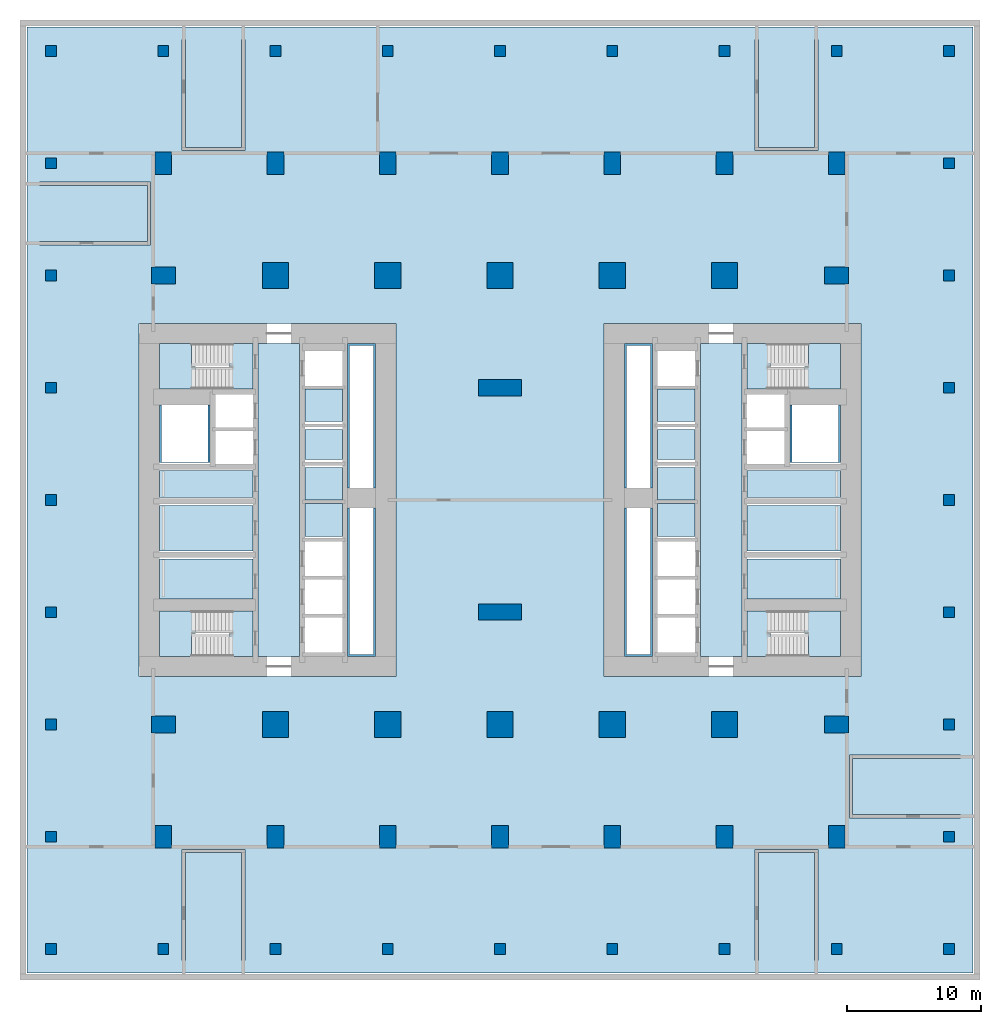
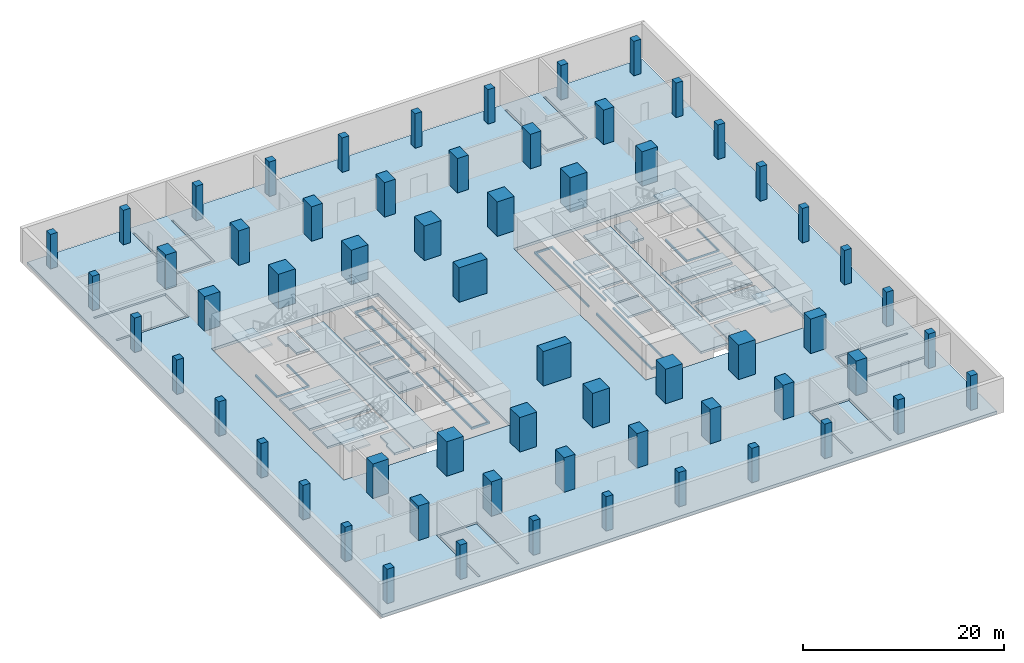
# One storey, part 1 of 8: 62 columns, 31 slabs, 4 elements without a shape of their own.
"""IFC4 building model written with IfcOpenShell, lengths in metres."""

from ifc_helpers import new_model, si_unit, direction, frame, origin, origin_2d, place, context, subcontext, project, spatial, polyline, rectangle, outline, extrude, material, layer, layer_set, material_profile, profile_set, type_object, element, aggregate, save


model = new_model("IFC4")

# Units and contexts
model_context = context("Model", 3, precision=1e-05, world=origin(), true_north=direction((0.0, 1.0)))
body_context = subcontext(model_context, "Body", "Model", "MODEL_VIEW")
ifc_project = project(units=[si_unit("LENGTHUNIT", "METRE"), si_unit("AREAUNIT", "SQUARE_METRE"), si_unit("VOLUMEUNIT", "CUBIC_METRE"), si_unit("PLANEANGLEUNIT", "RADIAN"), si_unit("MASSUNIT", "GRAM", prefix="KILO")], contexts=[model_context])

# Site, building, storey
site_placement = place(None, origin())
site = spatial("IfcSite", under=ifc_project, at=site_placement, CompositionType="ELEMENT")
building_placement = place(site_placement, origin())
building = spatial("IfcBuilding", under=site, at=building_placement, Name="Claustro Exchange Tower", CompositionType="ELEMENT")
storey_placement = place(building_placement, frame((0.0, 0.0, -4.199951171875)))
storey = spatial("IfcBuildingStorey", under=building, at=storey_placement, Name="B1", CompositionType="ELEMENT", Elevation=-4.199951171875)

# Columns
ifc_material_1 = material(Name="Concrete HA-70 (C70/85)", Category="concrete")
ifc_material_profile_1 = material_profile(ifc_material_1, rectangle(XDim=1.949951171875, YDim=1.949951171875, at=origin_2d()), Name="RC 1950x1950")
ifc_profile_set_1 = profile_set([ifc_material_profile_1], Name="Concrete HA-70 (C70/85)")
column_type_1 = type_object("IfcColumnType", Name="C12 RC 1950x1950 HA-70 column", PredefinedType="COLUMN", material=ifc_profile_set_1)
for number, where, z_axis, x_axis, name in (
    (1, (8.39990234375, 8.39990234375, 0.0), (0.0, 0.0, 1.0), (1.0, 0.0, 0.0), "Column C12 2/B B1"),
    (2, (8.39990234375, 42.0, 0.0), (0.0, 0.0, 1.0), (1.0, 0.0, 0.0), "Column C12 2/F B1"),
    (3, (16.800048828125, 8.39990234375, 0.0), (0.0, 0.0, 1.0), (1.0, 0.0, 0.0), "Column C12 3/B B1"),
    (4, (16.800048828125, 42.0, 0.0), (0.0, 0.0, 1.0), (1.0, 0.0, 0.0), "Column C12 3/F B1"),
    (5, (25.199951171875, 8.39990234375, 0.0), (0.0, 0.0, 1.0), (1.0, 0.0, 0.0), "Column C12 4/B B1"),
    (6, (25.199951171875, 42.0, 0.0), (0.0, 0.0, 1.0), (1.0, 0.0, 0.0), "Column C12 4/F B1"),
    (7, (33.60009765625, 8.39990234375, 0.0), (0.0, 0.0, 1.0), (1.0, 0.0, 0.0), "Column C12 5/B B1"),
    (8, (33.60009765625, 42.0, 0.0), (0.0, 0.0, 1.0), (1.0, 0.0, 0.0), "Column C12 5/F B1"),
    (9, (42.0, 8.39990234375, 0.0), (0.0, 0.0, 1.0), (1.0, 0.0, 0.0), "Column C12 6/B B1"),
    (10, (42.0, 42.0, 0.0), (0.0, 0.0, 1.0), (1.0, 0.0, 0.0), "Column C12 6/F B1"),
):
    element("IfcColumn", number, at=place(storey_placement, frame(where, z_axis=z_axis, x_axis=x_axis)), inside=storey, type_object=column_type_1, Name=name, PredefinedType="COLUMN", context=body_context, shape_type="SweptSolid", body=[
        extrude(rectangle(XDim=1.949951171875, YDim=1.949951171875, at=origin_2d()), origin(), (0.0, 0.0, 1.0), 4.199951171875),
    ])
ifc_material_2 = material(Name="Concrete HA-70 (C70/85)", Category="concrete")
ifc_material_profile_2 = material_profile(ifc_material_2, rectangle(XDim=1.25, YDim=1.699951171875, at=origin_2d()), Name="RC 1250x1700")
ifc_profile_set_2 = profile_set([ifc_material_profile_2], Name="Concrete HA-70 (C70/85)")
column_type_2 = type_object("IfcColumnType", Name="C18 RC 1250x1700 HA-70 perimeter column", PredefinedType="COLUMN", material=ifc_profile_set_2)
for number, where, z_axis, x_axis, name in (
    (11, (0.0, 0.0, 0.0), (0.0, 0.0, 1.0), (1.0, 0.0, 0.0), "Column C18 1/A B1"),
    (12, (0.0, 50.39990234375, 0.0), (0.0, 0.0, 1.0), (1.0, 0.0, 0.0), "Column C18 1/G B1"),
    (13, (8.39990234375, 0.0, 0.0), (0.0, 0.0, 1.0), (1.0, 0.0, 0.0), "Column C18 2/A B1"),
    (14, (8.39990234375, 50.39990234375, 0.0), (0.0, 0.0, 1.0), (1.0, 0.0, 0.0), "Column C18 2/G B1"),
    (15, (16.800048828125, 0.0, 0.0), (0.0, 0.0, 1.0), (1.0, 0.0, 0.0), "Column C18 3/A B1"),
    (16, (16.800048828125, 50.39990234375, 0.0), (0.0, 0.0, 1.0), (1.0, 0.0, 0.0), "Column C18 3/G B1"),
    (17, (25.199951171875, 0.0, 0.0), (0.0, 0.0, 1.0), (1.0, 0.0, 0.0), "Column C18 4/A B1"),
    (18, (25.199951171875, 50.39990234375, 0.0), (0.0, 0.0, 1.0), (1.0, 0.0, 0.0), "Column C18 4/G B1"),
    (19, (33.60009765625, 0.0, 0.0), (0.0, 0.0, 1.0), (1.0, 0.0, 0.0), "Column C18 5/A B1"),
    (20, (33.60009765625, 50.39990234375, 0.0), (0.0, 0.0, 1.0), (1.0, 0.0, 0.0), "Column C18 5/G B1"),
    (21, (42.0, 0.0, 0.0), (0.0, 0.0, 1.0), (1.0, 0.0, 0.0), "Column C18 6/A B1"),
    (22, (42.0, 50.39990234375, 0.0), (0.0, 0.0, 1.0), (1.0, 0.0, 0.0), "Column C18 6/G B1"),
    (23, (50.39990234375, 0.0, 0.0), (0.0, 0.0, 1.0), (1.0, 0.0, 0.0), "Column C18 7/A B1"),
    (24, (50.39990234375, 50.39990234375, 0.0), (0.0, 0.0, 1.0), (1.0, 0.0, 0.0), "Column C18 7/G B1"),
):
    element("IfcColumn", number, at=place(storey_placement, frame(where, z_axis=z_axis, x_axis=x_axis)), inside=storey, type_object=column_type_2, Name=name, PredefinedType="COLUMN", context=body_context, shape_type="SweptSolid", body=[
        extrude(rectangle(XDim=1.25, YDim=1.699951171875, at=origin_2d()), origin(), (0.0, 0.0, 1.0), 4.199951171875),
    ])
ifc_material_3 = material(Name="Concrete HA-70 (C70/85)", Category="concrete")
ifc_material_profile_3 = material_profile(ifc_material_3, rectangle(XDim=3.199951171875, YDim=1.199951171875, at=origin_2d()), Name="RC 3200x1200")
ifc_profile_set_3 = profile_set([ifc_material_profile_3], Name="Concrete HA-70 (C70/85)")
column_type_3 = type_object("IfcColumnType", Name="C28 RC 3200x1200 HA-70 light well column", PredefinedType="COLUMN", material=ifc_profile_set_3)
for number, where, z_axis, x_axis, name in (
    (25, (25.199951171875, 16.800048828125, 0.0), (0.0, 0.0, 1.0), (1.0, 0.0, 0.0), "Column C28 4/C B1"),
    (26, (25.199951171875, 33.60009765625, 0.0), (0.0, 0.0, 1.0), (1.0, 0.0, 0.0), "Column C28 4/E B1"),
):
    element("IfcColumn", number, at=place(storey_placement, frame(where, z_axis=z_axis, x_axis=x_axis)), inside=storey, type_object=column_type_3, Name=name, PredefinedType="COLUMN", context=body_context, shape_type="SweptSolid", body=[
        extrude(rectangle(XDim=3.199951171875, YDim=1.199951171875, at=origin_2d()), origin(), (0.0, 0.0, 1.0), 4.199951171875),
    ])
ifc_material_4 = material(Name="Concrete HA-50 (C50/60)", Category="concrete")
ifc_material_profile_4 = material_profile(ifc_material_4, rectangle(XDim=0.800048828125, YDim=0.800048828125, at=origin_2d()), Name="RC 800x800")
ifc_profile_set_4 = profile_set([ifc_material_profile_4], Name="Concrete HA-50 (C50/60)")
column_type_4 = type_object("IfcColumnType", Name="C4 RC 800x800 HA-50 column", PredefinedType="COLUMN", material=ifc_profile_set_4)
for number, where, z_axis, x_axis, name in (
    (27, (-8.39990234375, -8.39990234375, 0.0), (0.0, 0.0, 1.0), (1.0, 0.0, 0.0), "Column C4 1+-8400/A+-8400 B1"),
    (28, (-8.39990234375, 0.0, 0.0), (0.0, 0.0, 1.0), (1.0, 0.0, 0.0), "Column C4 1+-8400/A B1"),
    (29, (-8.39990234375, 8.39990234375, 0.0), (0.0, 0.0, 1.0), (1.0, 0.0, 0.0), "Column C4 1+-8400/B B1"),
    (30, (-8.39990234375, 16.800048828125, 0.0), (0.0, 0.0, 1.0), (1.0, 0.0, 0.0), "Column C4 1+-8400/C B1"),
    (31, (-8.39990234375, 25.199951171875, 0.0), (0.0, 0.0, 1.0), (1.0, 0.0, 0.0), "Column C4 1+-8400/D B1"),
    (32, (-8.39990234375, 33.60009765625, 0.0), (0.0, 0.0, 1.0), (1.0, 0.0, 0.0), "Column C4 1+-8400/E B1"),
    (33, (-8.39990234375, 42.0, 0.0), (0.0, 0.0, 1.0), (1.0, 0.0, 0.0), "Column C4 1+-8400/F B1"),
    (34, (-8.39990234375, 50.39990234375, 0.0), (0.0, 0.0, 1.0), (1.0, 0.0, 0.0), "Column C4 1+-8400/G B1"),
    (35, (-8.39990234375, 58.800048828125, 0.0), (0.0, 0.0, 1.0), (1.0, 0.0, 0.0), "Column C4 1+-8400/G+8400 B1"),
    (36, (0.0, -8.39990234375, 0.0), (0.0, 0.0, 1.0), (1.0, 0.0, 0.0), "Column C4 1/A+-8400 B1"),
    (37, (0.0, 58.800048828125, 0.0), (0.0, 0.0, 1.0), (1.0, 0.0, 0.0), "Column C4 1/G+8400 B1"),
    (38, (8.39990234375, -8.39990234375, 0.0), (0.0, 0.0, 1.0), (1.0, 0.0, 0.0), "Column C4 2/A+-8400 B1"),
    (39, (8.39990234375, 58.800048828125, 0.0), (0.0, 0.0, 1.0), (1.0, 0.0, 0.0), "Column C4 2/G+8400 B1"),
    (40, (16.800048828125, -8.39990234375, 0.0), (0.0, 0.0, 1.0), (1.0, 0.0, 0.0), "Column C4 3/A+-8400 B1"),
    (41, (16.800048828125, 58.800048828125, 0.0), (0.0, 0.0, 1.0), (1.0, 0.0, 0.0), "Column C4 3/G+8400 B1"),
    (42, (25.199951171875, -8.39990234375, 0.0), (0.0, 0.0, 1.0), (1.0, 0.0, 0.0), "Column C4 4/A+-8400 B1"),
    (43, (25.199951171875, 58.800048828125, 0.0), (0.0, 0.0, 1.0), (1.0, 0.0, 0.0), "Column C4 4/G+8400 B1"),
    (44, (33.60009765625, -8.39990234375, 0.0), (0.0, 0.0, 1.0), (1.0, 0.0, 0.0), "Column C4 5/A+-8400 B1"),
    (45, (33.60009765625, 58.800048828125, 0.0), (0.0, 0.0, 1.0), (1.0, 0.0, 0.0), "Column C4 5/G+8400 B1"),
    (46, (42.0, -8.39990234375, 0.0), (0.0, 0.0, 1.0), (1.0, 0.0, 0.0), "Column C4 6/A+-8400 B1"),
    (47, (42.0, 58.800048828125, 0.0), (0.0, 0.0, 1.0), (1.0, 0.0, 0.0), "Column C4 6/G+8400 B1"),
    (48, (50.39990234375, -8.39990234375, 0.0), (0.0, 0.0, 1.0), (1.0, 0.0, 0.0), "Column C4 7/A+-8400 B1"),
    (49, (50.39990234375, 58.800048828125, 0.0), (0.0, 0.0, 1.0), (1.0, 0.0, 0.0), "Column C4 7/G+8400 B1"),
    (50, (58.800048828125, -8.39990234375, 0.0), (0.0, 0.0, 1.0), (1.0, 0.0, 0.0), "Column C4 7+8400/A+-8400 B1"),
    (51, (58.800048828125, 0.0, 0.0), (0.0, 0.0, 1.0), (1.0, 0.0, 0.0), "Column C4 7+8400/A B1"),
    (52, (58.800048828125, 8.39990234375, 0.0), (0.0, 0.0, 1.0), (1.0, 0.0, 0.0), "Column C4 7+8400/B B1"),
    (53, (58.800048828125, 16.800048828125, 0.0), (0.0, 0.0, 1.0), (1.0, 0.0, 0.0), "Column C4 7+8400/C B1"),
    (54, (58.800048828125, 25.199951171875, 0.0), (0.0, 0.0, 1.0), (1.0, 0.0, 0.0), "Column C4 7+8400/D B1"),
    (55, (58.800048828125, 33.60009765625, 0.0), (0.0, 0.0, 1.0), (1.0, 0.0, 0.0), "Column C4 7+8400/E B1"),
    (56, (58.800048828125, 42.0, 0.0), (0.0, 0.0, 1.0), (1.0, 0.0, 0.0), "Column C4 7+8400/F B1"),
    (57, (58.800048828125, 50.39990234375, 0.0), (0.0, 0.0, 1.0), (1.0, 0.0, 0.0), "Column C4 7+8400/G B1"),
    (58, (58.800048828125, 58.800048828125, 0.0), (0.0, 0.0, 1.0), (1.0, 0.0, 0.0), "Column C4 7+8400/G+8400 B1"),
):
    element("IfcColumn", number, at=place(storey_placement, frame(where, z_axis=z_axis, x_axis=x_axis)), inside=storey, type_object=column_type_4, Name=name, PredefinedType="COLUMN", context=body_context, shape_type="SweptSolid", body=[
        extrude(rectangle(XDim=0.800048828125, YDim=0.800048828125, at=origin_2d()), origin(), (0.0, 0.0, 1.0), 4.199951171875),
    ])
ifc_material_5 = material(Name="Concrete HA-70 (C70/85)", Category="concrete")
ifc_material_profile_5 = material_profile(ifc_material_5, rectangle(XDim=1.300048828125, YDim=1.800048828125, at=origin_2d()), Name="RC 1300x1800")
ifc_profile_set_5 = profile_set([ifc_material_profile_5], Name="Concrete HA-70 (C70/85)")
column_type_5 = type_object("IfcColumnType", Name="C40 RC 1300x1800 HA-70 perimeter column", PredefinedType="COLUMN", material=ifc_profile_set_5)
for number, where, z_axis, x_axis, name in (
    (59, (0.0, 8.39990234375, 0.0), (0.0, 0.0, 1.0), (0.0, 1.0, 0.0), "Column C40 1/B B1"),
    (60, (0.0, 42.0, 0.0), (0.0, 0.0, 1.0), (0.0, 1.0, 0.0), "Column C40 1/F B1"),
    (61, (50.39990234375, 8.39990234375, 0.0), (0.0, 0.0, 1.0), (0.0, 1.0, 0.0), "Column C40 7/B B1"),
    (62, (50.39990234375, 42.0, 0.0), (0.0, 0.0, 1.0), (0.0, 1.0, 0.0), "Column C40 7/F B1"),
):
    element("IfcColumn", number, at=place(storey_placement, frame(where, z_axis=z_axis, x_axis=x_axis)), inside=storey, type_object=column_type_5, Name=name, PredefinedType="COLUMN", context=body_context, shape_type="SweptSolid", body=[
        extrude(rectangle(XDim=1.300048828125, YDim=1.800048828125, at=origin_2d()), origin(), (0.0, 0.0, 1.0), 4.199951171875),
    ])

# Slabs
ifc_material_6 = material(Name="Concrete HA-50 (C50/60)", Category="concrete")
ifc_layer_1 = layer(ifc_material_6, 0.35009765625)
ifc_layer_set_1 = layer_set([ifc_layer_1], Name="Concrete HA-50 (C50/60)")
slab_type_1 = type_object("IfcSlabType", Name="S4 350 suspended flat slab", PredefinedType="FLOOR", material=ifc_layer_set_1)
slab_1_placement = place(storey_placement, frame((0.0, 0.0, -0.35009765625)))
element("IfcSlab", 63, at=slab_1_placement, inside=storey, type_object=slab_type_1, Name="Floor slab S4 W B1", PredefinedType="FLOOR", context=body_context, shape_type="SweptSolid", body=[
    extrude(outline(polyline([(-10.199951171875, -10.199951171875), (60.60009765625, -10.199951171875), (60.60009765625, 60.60009765625), (-10.199951171875, 60.60009765625), (-10.199951171875, -10.199951171875)]), holes=[polyline([(51.35009765625, 1.39990234375), (51.35009765625, 6.10009765625), (51.60009765625, 6.10009765625), (59.679931640625, 6.10009765625), (59.679931640625, 5.85009765625), (51.60009765625, 5.85009765625), (51.60009765625, 1.64990234375), (59.679931640625, 1.64990234375), (59.679931640625, 1.39990234375), (51.60009765625, 1.39990234375), (51.35009765625, 1.39990234375)]), polyline([(52.199951171875, 38.39990234375), (52.199951171875, 12.0), (33.0, 12.0), (33.0, 38.39990234375), (52.199951171875, 38.39990234375)]), polyline([(44.550048828125, 51.60009765625), (48.75, 51.60009765625), (48.75, 59.679931640625), (49.0, 59.679931640625), (49.0, 51.60009765625), (49.0, 51.35009765625), (44.300048828125, 51.35009765625), (44.300048828125, 51.60009765625), (44.300048828125, 59.679931640625), (44.550048828125, 59.679931640625), (44.550048828125, 51.60009765625)]), polyline([(49.0, -9.280029296875), (48.75, -9.280029296875), (48.75, -1.199951171875), (44.550048828125, -1.199951171875), (44.550048828125, -9.280029296875), (44.300048828125, -9.280029296875), (44.300048828125, -1.199951171875), (44.300048828125, -0.949951171875), (49.0, -0.949951171875), (49.0, -1.199951171875), (49.0, -9.280029296875)]), polyline([(17.39990234375, 38.39990234375), (17.39990234375, 12.0), (-1.800048828125, 12.0), (-1.800048828125, 38.39990234375), (17.39990234375, 38.39990234375)]), polyline([(1.64990234375, 51.60009765625), (5.85009765625, 51.60009765625), (5.85009765625, 59.679931640625), (6.10009765625, 59.679931640625), (6.10009765625, 51.60009765625), (6.10009765625, 51.35009765625), (1.39990234375, 51.35009765625), (1.39990234375, 51.60009765625), (1.39990234375, 59.679931640625), (1.64990234375, 59.679931640625), (1.64990234375, 51.60009765625)]), polyline([(6.10009765625, -9.280029296875), (5.85009765625, -9.280029296875), (5.85009765625, -1.199951171875), (1.64990234375, -1.199951171875), (1.64990234375, -9.280029296875), (1.39990234375, -9.280029296875), (1.39990234375, -1.199951171875), (1.39990234375, -0.949951171875), (6.10009765625, -0.949951171875), (6.10009765625, -1.199951171875), (6.10009765625, -9.280029296875)]), polyline([(-9.280029296875, 49.0), (-1.199951171875, 49.0), (-0.949951171875, 49.0), (-0.949951171875, 44.300048828125), (-1.199951171875, 44.300048828125), (-9.280029296875, 44.300048828125), (-9.280029296875, 44.550048828125), (-1.199951171875, 44.550048828125), (-1.199951171875, 48.75), (-9.280029296875, 48.75), (-9.280029296875, 49.0)])]), origin(), (0.0, 0.0, 1.0), 0.35009765625),
])
ifc_material_7 = material(Name="Concrete HA-50 (C50/60)", Category="concrete")
ifc_layer_2 = layer(ifc_material_7, 0.25)
ifc_layer_set_2 = layer_set([ifc_layer_2], Name="Concrete HA-50 (C50/60)")
slab_type_2 = type_object("IfcSlabType", Name="S7 250 core floor slab", PredefinedType="FLOOR", material=ifc_layer_set_2)
slab_2_placement = place(storey_placement, frame((0.0, 0.0, -0.25)))
element("IfcSlab", 64, at=slab_2_placement, inside=storey, type_object=slab_type_2, Name="Core floor slab S7 W core B1", PredefinedType="FLOOR", context=body_context, shape_type="SweptSolid", body=[
    extrude(outline(polyline([(6.699951171875, 33.5), (6.699951171875, 36.89990234375), (4.919921875, 36.89990234375), (4.919921875, 35.199951171875), (5.195068359375, 35.199951171875), (5.195068359375, 33.5), (6.699951171875, 33.5)])), origin(), (0.0, 0.0, 1.0), 0.25),
])
slab_3_placement = place(storey_placement, frame((0.0, 0.0, -0.25)))
element("IfcSlab", 65, at=slab_3_placement, inside=storey, type_object=slab_type_2, Name="Core floor slab S7 W core B1", PredefinedType="FLOOR", context=body_context, shape_type="SweptSolid", body=[
    extrude(outline(polyline([(10.199951171875, 13.5), (10.199951171875, 36.89990234375), (7.10009765625, 36.89990234375), (7.10009765625, 13.5), (10.199951171875, 13.5)])), origin(), (0.0, 0.0, 1.0), 0.25),
])
slab_4_placement = place(storey_placement, frame((0.0, 0.0, -0.25)))
element("IfcSlab", 66, at=slab_4_placement, inside=storey, type_object=slab_type_2, Name="Core floor slab S7 W core B1", PredefinedType="FLOOR", context=body_context, shape_type="SweptSolid", body=[
    extrude(outline(polyline([(13.39990234375, 31.074951171875), (13.39990234375, 33.5), (10.60009765625, 33.5), (10.60009765625, 31.074951171875), (13.39990234375, 31.074951171875)])), origin(), (0.0, 0.0, 1.0), 0.25),
])
slab_5_placement = place(storey_placement, frame((0.0, 0.0, -0.25)))
element("IfcSlab", 67, at=slab_5_placement, inside=storey, type_object=slab_type_2, Name="Core floor slab S7 W core B1", PredefinedType="FLOOR", context=body_context, shape_type="SweptSolid", body=[
    extrude(outline(polyline([(13.39990234375, 28.22509765625), (13.39990234375, 30.47509765625), (10.60009765625, 30.47509765625), (10.60009765625, 28.22509765625), (13.39990234375, 28.22509765625)])), origin(), (0.0, 0.0, 1.0), 0.25),
])
slab_6_placement = place(storey_placement, frame((0.0, 0.0, -0.25)))
element("IfcSlab", 68, at=slab_6_placement, inside=storey, type_object=slab_type_2, Name="Core floor slab S7 W core B1", PredefinedType="FLOOR", context=body_context, shape_type="SweptSolid", body=[
    extrude(outline(polyline([(13.39990234375, 25.199951171875), (13.39990234375, 27.625), (10.60009765625, 27.625), (10.60009765625, 25.199951171875), (13.39990234375, 25.199951171875)])), origin(), (0.0, 0.0, 1.0), 0.25),
])
slab_7_placement = place(storey_placement, frame((0.0, 0.0, -0.25)))
element("IfcSlab", 69, at=slab_7_placement, inside=storey, type_object=slab_type_2, Name="Core floor slab S7 W core B1", PredefinedType="FLOOR", context=body_context, shape_type="SweptSolid", body=[
    extrude(outline(polyline([(13.39990234375, 22.449951171875), (13.39990234375, 24.949951171875), (10.60009765625, 24.949951171875), (10.60009765625, 22.449951171875), (13.39990234375, 22.449951171875)])), origin(), (0.0, 0.0, 1.0), 0.25),
])
slab_8_placement = place(storey_placement, frame((0.0, 0.0, -0.25)))
element("IfcSlab", 70, at=slab_8_placement, inside=storey, type_object=slab_type_2, Name="Core floor slab S7 W core B1", PredefinedType="FLOOR", context=body_context, shape_type="SweptSolid", body=[
    extrude(outline(polyline([(13.949951171875, 24.60009765625), (13.800048828125, 24.60009765625), (13.800048828125, 13.5), (15.89990234375, 13.5), (15.89990234375, 24.60009765625), (15.75, 24.60009765625), (15.75, 13.64990234375), (13.949951171875, 13.64990234375), (13.949951171875, 24.60009765625)])), origin(), (0.0, 0.0, 1.0), 0.25),
])
slab_9_placement = place(storey_placement, frame((0.0, 0.0, -0.25)))
element("IfcSlab", 71, at=slab_9_placement, inside=storey, type_object=slab_type_2, Name="Core floor slab S7 W core B1", PredefinedType="FLOOR", context=body_context, shape_type="SweptSolid", body=[
    extrude(outline(polyline([(13.800048828125, 36.89990234375), (13.800048828125, 26.10009765625), (13.949951171875, 26.10009765625), (13.949951171875, 36.75), (15.75, 36.75), (15.75, 26.10009765625), (15.89990234375, 26.10009765625), (15.89990234375, 36.89990234375), (13.800048828125, 36.89990234375)])), origin(), (0.0, 0.0, 1.0), 0.25),
])
slab_10_placement = place(storey_placement, frame((0.0, 0.0, -0.25)))
element("IfcSlab", 72, at=slab_10_placement, inside=storey, type_object=slab_type_2, Name="Core floor slab S7 W core B1", PredefinedType="FLOOR", context=body_context, shape_type="SweptSolid", body=[
    extrude(outline(polyline([(-0.14990234375, 32.300048828125), (-0.300048828125, 32.300048828125), (-0.300048828125, 28.0), (3.5, 28.0), (3.5, 32.300048828125), (3.35009765625, 32.300048828125), (3.35009765625, 28.050048828125), (-0.14990234375, 28.050048828125), (-0.14990234375, 32.300048828125)])), origin(), (0.0, 0.0, 1.0), 0.25),
])
slab_11_placement = place(storey_placement, frame((0.0, 0.0, -0.25)))
element("IfcSlab", 73, at=slab_11_placement, inside=storey, type_object=slab_type_2, Name="Core floor slab S7 W core B1", PredefinedType="FLOOR", context=body_context, shape_type="SweptSolid", body=[
    extrude(outline(polyline([(6.699951171875, 27.39990234375), (-0.300048828125, 27.39990234375), (-0.300048828125, 25.39990234375), (6.699951171875, 25.39990234375), (6.699951171875, 27.39990234375)])), origin(), (0.0, 0.0, 1.0), 0.25),
])
slab_12_placement = place(storey_placement, frame((0.0, 0.0, -0.25)))
element("IfcSlab", 74, at=slab_12_placement, inside=storey, type_object=slab_type_2, Name="Core floor slab S7 W core B1", PredefinedType="FLOOR", context=body_context, shape_type="SweptSolid", body=[
    extrude(outline(polyline([(4.919921875, 13.5), (6.699951171875, 13.5), (6.699951171875, 16.89990234375), (5.195068359375, 16.89990234375), (5.195068359375, 15.199951171875), (4.919921875, 15.199951171875), (4.919921875, 13.5)])), origin(), (0.0, 0.0, 1.0), 0.25),
])
slab_13_placement = place(storey_placement, frame((0.0, 0.0, -0.25)))
element("IfcSlab", 75, at=slab_13_placement, inside=storey, type_object=slab_type_2, Name="Core floor slab S7 W core B1", PredefinedType="FLOOR", context=body_context, shape_type="SweptSolid", body=[
    extrude(outline(polyline([(-0.300048828125, 17.800048828125), (6.699951171875, 17.800048828125), (6.699951171875, 20.800048828125), (-0.300048828125, 20.800048828125), (-0.300048828125, 17.800048828125)])), origin(), (0.0, 0.0, 1.0), 0.25),
])
slab_14_placement = place(storey_placement, frame((0.0, 0.0, -0.25)))
element("IfcSlab", 76, at=slab_14_placement, inside=storey, type_object=slab_type_2, Name="Core floor slab S7 W core B1", PredefinedType="FLOOR", context=body_context, shape_type="SweptSolid", body=[
    extrude(outline(polyline([(-0.300048828125, 21.39990234375), (6.699951171875, 21.39990234375), (6.699951171875, 24.800048828125), (-0.300048828125, 24.800048828125), (-0.300048828125, 21.39990234375)])), origin(), (0.0, 0.0, 1.0), 0.25),
])
slab_15_placement = place(storey_placement, frame((0.0, 0.0, -0.25)))
element("IfcSlab", 77, at=slab_15_placement, inside=storey, type_object=slab_type_2, Name="Core floor slab S7 E core B1", PredefinedType="FLOOR", context=body_context, shape_type="SweptSolid", body=[
    extrude(outline(polyline([(34.5, 24.60009765625), (34.5, 13.5), (36.60009765625, 13.5), (36.60009765625, 24.60009765625), (36.449951171875, 24.60009765625), (36.449951171875, 13.64990234375), (34.64990234375, 13.64990234375), (34.64990234375, 24.60009765625), (34.5, 24.60009765625)])), origin(), (0.0, 0.0, 1.0), 0.25),
])
slab_16_placement = place(storey_placement, frame((0.0, 0.0, -0.25)))
element("IfcSlab", 78, at=slab_16_placement, inside=storey, type_object=slab_type_2, Name="Core floor slab S7 E core B1", PredefinedType="FLOOR", context=body_context, shape_type="SweptSolid", body=[
    extrude(outline(polyline([(36.60009765625, 26.10009765625), (36.60009765625, 36.89990234375), (34.5, 36.89990234375), (34.5, 26.10009765625), (34.64990234375, 26.10009765625), (34.64990234375, 36.75), (36.449951171875, 36.75), (36.449951171875, 26.10009765625), (36.60009765625, 26.10009765625)])), origin(), (0.0, 0.0, 1.0), 0.25),
])
slab_17_placement = place(storey_placement, frame((0.0, 0.0, -0.25)))
element("IfcSlab", 79, at=slab_17_placement, inside=storey, type_object=slab_type_2, Name="Core floor slab S7 E core B1", PredefinedType="FLOOR", context=body_context, shape_type="SweptSolid", body=[
    extrude(outline(polyline([(43.300048828125, 13.5), (43.300048828125, 36.89990234375), (40.199951171875, 36.89990234375), (40.199951171875, 13.5), (43.300048828125, 13.5)])), origin(), (0.0, 0.0, 1.0), 0.25),
])
slab_18_placement = place(storey_placement, frame((0.0, 0.0, -0.25)))
element("IfcSlab", 80, at=slab_18_placement, inside=storey, type_object=slab_type_2, Name="Core floor slab S7 E core B1", PredefinedType="FLOOR", context=body_context, shape_type="SweptSolid", body=[
    extrude(outline(polyline([(37.0, 24.949951171875), (37.0, 22.449951171875), (39.800048828125, 22.449951171875), (39.800048828125, 24.949951171875), (37.0, 24.949951171875)])), origin(), (0.0, 0.0, 1.0), 0.25),
])
slab_19_placement = place(storey_placement, frame((0.0, 0.0, -0.25)))
element("IfcSlab", 81, at=slab_19_placement, inside=storey, type_object=slab_type_2, Name="Core floor slab S7 E core B1", PredefinedType="FLOOR", context=body_context, shape_type="SweptSolid", body=[
    extrude(outline(polyline([(37.0, 27.625), (37.0, 25.199951171875), (39.800048828125, 25.199951171875), (39.800048828125, 27.625), (37.0, 27.625)])), origin(), (0.0, 0.0, 1.0), 0.25),
])
slab_20_placement = place(storey_placement, frame((0.0, 0.0, -0.25)))
element("IfcSlab", 82, at=slab_20_placement, inside=storey, type_object=slab_type_2, Name="Core floor slab S7 E core B1", PredefinedType="FLOOR", context=body_context, shape_type="SweptSolid", body=[
    extrude(outline(polyline([(37.0, 33.5), (37.0, 31.074951171875), (39.800048828125, 31.074951171875), (39.800048828125, 33.5), (37.0, 33.5)])), origin(), (0.0, 0.0, 1.0), 0.25),
])
slab_21_placement = place(storey_placement, frame((0.0, 0.0, -0.25)))
element("IfcSlab", 83, at=slab_21_placement, inside=storey, type_object=slab_type_2, Name="Core floor slab S7 E core B1", PredefinedType="FLOOR", context=body_context, shape_type="SweptSolid", body=[
    extrude(outline(polyline([(37.0, 30.47509765625), (37.0, 28.22509765625), (39.800048828125, 28.22509765625), (39.800048828125, 30.47509765625), (37.0, 30.47509765625)])), origin(), (0.0, 0.0, 1.0), 0.25),
])
slab_22_placement = place(storey_placement, frame((0.0, 0.0, -0.25)))
element("IfcSlab", 84, at=slab_22_placement, inside=storey, type_object=slab_type_2, Name="Core floor slab S7 E core B1", PredefinedType="FLOOR", context=body_context, shape_type="SweptSolid", body=[
    extrude(outline(polyline([(45.47998046875, 36.89990234375), (43.699951171875, 36.89990234375), (43.699951171875, 33.5), (45.205078125, 33.5), (45.205078125, 35.199951171875), (45.47998046875, 35.199951171875), (45.47998046875, 36.89990234375)])), origin(), (0.0, 0.0, 1.0), 0.25),
])
slab_23_placement = place(storey_placement, frame((0.0, 0.0, -0.25)))
element("IfcSlab", 85, at=slab_23_placement, inside=storey, type_object=slab_type_2, Name="Core floor slab S7 E core B1", PredefinedType="FLOOR", context=body_context, shape_type="SweptSolid", body=[
    extrude(outline(polyline([(50.699951171875, 27.39990234375), (43.699951171875, 27.39990234375), (43.699951171875, 25.39990234375), (50.699951171875, 25.39990234375), (50.699951171875, 27.39990234375)])), origin(), (0.0, 0.0, 1.0), 0.25),
])
slab_24_placement = place(storey_placement, frame((0.0, 0.0, -0.25)))
element("IfcSlab", 86, at=slab_24_placement, inside=storey, type_object=slab_type_2, Name="Core floor slab S7 E core B1", PredefinedType="FLOOR", context=body_context, shape_type="SweptSolid", body=[
    extrude(outline(polyline([(50.699951171875, 21.39990234375), (50.699951171875, 24.800048828125), (43.699951171875, 24.800048828125), (43.699951171875, 21.39990234375), (50.699951171875, 21.39990234375)])), origin(), (0.0, 0.0, 1.0), 0.25),
])
slab_25_placement = place(storey_placement, frame((0.0, 0.0, -0.25)))
element("IfcSlab", 87, at=slab_25_placement, inside=storey, type_object=slab_type_2, Name="Core floor slab S7 E core B1", PredefinedType="FLOOR", context=body_context, shape_type="SweptSolid", body=[
    extrude(outline(polyline([(50.699951171875, 17.800048828125), (50.699951171875, 20.800048828125), (43.699951171875, 20.800048828125), (43.699951171875, 17.800048828125), (50.699951171875, 17.800048828125)])), origin(), (0.0, 0.0, 1.0), 0.25),
])
slab_26_placement = place(storey_placement, frame((0.0, 0.0, -0.25)))
element("IfcSlab", 88, at=slab_26_placement, inside=storey, type_object=slab_type_2, Name="Core floor slab S7 E core B1", PredefinedType="FLOOR", context=body_context, shape_type="SweptSolid", body=[
    extrude(outline(polyline([(43.699951171875, 13.5), (45.47998046875, 13.5), (45.47998046875, 15.199951171875), (45.205078125, 15.199951171875), (45.205078125, 16.89990234375), (43.699951171875, 16.89990234375), (43.699951171875, 13.5)])), origin(), (0.0, 0.0, 1.0), 0.25),
])
slab_27_placement = place(storey_placement, frame((0.0, 0.0, -0.25)))
element("IfcSlab", 89, at=slab_27_placement, inside=storey, type_object=slab_type_2, Name="Core floor slab S7 E core B1", PredefinedType="FLOOR", context=body_context, shape_type="SweptSolid", body=[
    extrude(outline(polyline([(46.89990234375, 28.0), (50.699951171875, 28.0), (50.699951171875, 32.300048828125), (50.550048828125, 32.300048828125), (50.550048828125, 28.050048828125), (47.050048828125, 28.050048828125), (47.050048828125, 32.300048828125), (46.89990234375, 32.300048828125), (46.89990234375, 28.0)])), origin(), (0.0, 0.0, 1.0), 0.25),
])

# Stair, slab
ifc_material_8 = material(Name="Concrete HA-30 (C30/37), precast", Category="concrete")
stair_type = type_object("IfcStairType", Name="ST1 half-turn stair, 24 risers of 175", PredefinedType="HALF_TURN_STAIR", material=ifc_material_8)
stair_1_placement = place(storey_placement, origin())
stair_1 = element("IfcStair", 90, at=stair_1_placement, inside=storey, type_object=stair_type, Name="Stair STWA B1", PredefinedType="HALF_TURN_STAIR")
ifc_material_9 = material(Name="Concrete HA-30 (C30/37), precast", Category="concrete")
ifc_layer_3 = layer(ifc_material_9, 0.199951171875)
ifc_layer_set_3 = layer_set([ifc_layer_3], Name="Concrete HA-30 (C30/37), precast")
slab_type_3 = type_object("IfcSlabType", Name="S9 200 stair landing", PredefinedType="LANDING", material=ifc_layer_set_3)
slab_28_placement = place(storey_placement, frame((0.0, 0.0, 1.89990234375)))
slab_28 = element("IfcSlab", 91, at=slab_28_placement, type_object=slab_type_3, Name="STWA landing 1", PredefinedType="LANDING", context=body_context, shape_type="SweptSolid", body=[
    extrude(outline(polyline([(2.125, 13.5), (-0.300048828125, 13.5), (-0.300048828125, 16.89990234375), (2.1201171875, 16.89990234375), (2.125, 16.89990234375), (2.39990234375, 16.89990234375), (2.39990234375, 15.199951171875), (2.125, 15.199951171875), (2.125, 13.5)])), origin(), (0.0, 0.0, 1.0), 0.199951171875),
])
aggregate(stair_1, [slab_28])

stair_2_placement = place(storey_placement, origin())
stair_2 = element("IfcStair", 92, at=stair_2_placement, inside=storey, type_object=stair_type, Name="Stair STWB B1", PredefinedType="HALF_TURN_STAIR")
slab_29_placement = place(storey_placement, frame((0.0, 0.0, 1.89990234375)))
slab_29 = element("IfcSlab", 93, at=slab_29_placement, type_object=slab_type_3, Name="STWB landing 1", PredefinedType="LANDING", context=body_context, shape_type="SweptSolid", body=[
    extrude(outline(polyline([(2.39990234375, 35.199951171875), (2.39990234375, 33.5), (2.125, 33.5), (2.1201171875, 33.5), (-0.300048828125, 33.5), (-0.300048828125, 36.89990234375), (2.125, 36.89990234375), (2.125, 35.199951171875), (2.39990234375, 35.199951171875)])), origin(), (0.0, 0.0, 1.0), 0.199951171875),
])
aggregate(stair_2, [slab_29])

stair_3_placement = place(storey_placement, origin())
stair_3 = element("IfcStair", 94, at=stair_3_placement, inside=storey, type_object=stair_type, Name="Stair STEA B1", PredefinedType="HALF_TURN_STAIR")
slab_30_placement = place(storey_placement, frame((0.0, 0.0, 1.89990234375)))
slab_30 = element("IfcSlab", 95, at=slab_30_placement, type_object=slab_type_3, Name="STEA landing 1", PredefinedType="LANDING", context=body_context, shape_type="SweptSolid", body=[
    extrude(outline(polyline([(50.699951171875, 16.89990234375), (50.699951171875, 13.5), (48.27490234375, 13.5), (48.27490234375, 15.199951171875), (48.0, 15.199951171875), (48.0, 16.89990234375), (48.27490234375, 16.89990234375), (48.280029296875, 16.89990234375), (50.699951171875, 16.89990234375)])), origin(), (0.0, 0.0, 1.0), 0.199951171875),
])
aggregate(stair_3, [slab_30])

stair_4_placement = place(storey_placement, origin())
stair_4 = element("IfcStair", 96, at=stair_4_placement, inside=storey, type_object=stair_type, Name="Stair STEB B1", PredefinedType="HALF_TURN_STAIR")
slab_31_placement = place(storey_placement, frame((0.0, 0.0, 1.89990234375)))
slab_31 = element("IfcSlab", 97, at=slab_31_placement, type_object=slab_type_3, Name="STEB landing 1", PredefinedType="LANDING", context=body_context, shape_type="SweptSolid", body=[
    extrude(outline(polyline([(48.0, 33.5), (48.0, 35.199951171875), (48.27490234375, 35.199951171875), (48.27490234375, 36.89990234375), (50.699951171875, 36.89990234375), (50.699951171875, 33.5), (48.280029296875, 33.5), (48.27490234375, 33.5), (48.0, 33.5)])), origin(), (0.0, 0.0, 1.0), 0.199951171875),
])
aggregate(stair_4, [slab_31])

save(model, "model.ifc")
